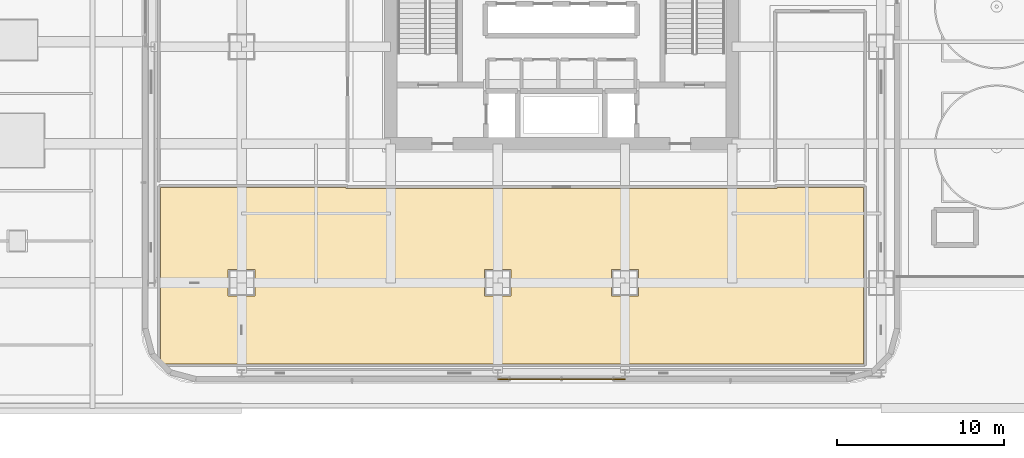
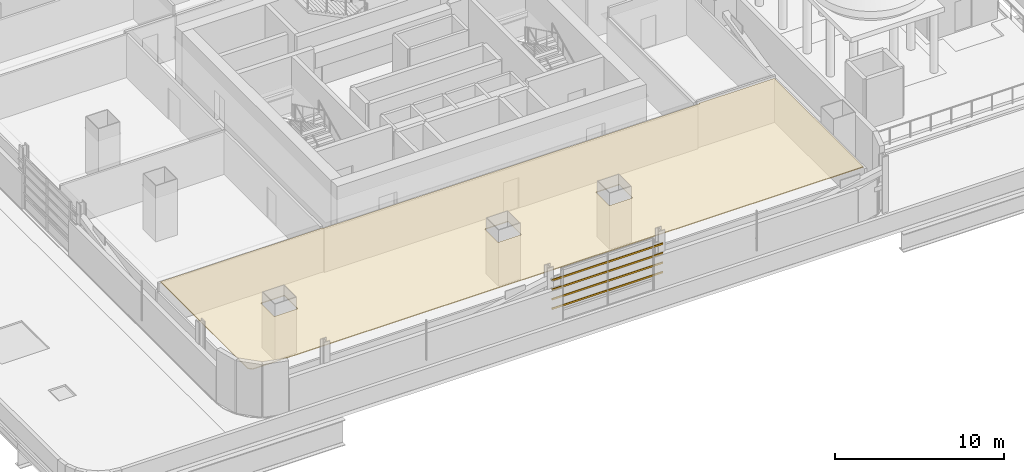
# One storey, part 22 of 30: 4 shading devices, 1 covering.
"""IFC4 building model written with IfcOpenShell, lengths in metres."""

import ifcopenshell
import ifcopenshell.guid

model = None  # the IFC model being written
_history = None  # IfcOwnerHistory: only IFC2X3 demands one
_inside = {}  # id of a spatial element -> (the spatial element, [elements in it])
_under = {}  # id of a project, library or spatial element -> (it, [spatial elements below it])
_declared = {}  # id of a project -> (the project, [libraries it declares])
_typed = {}  # id of a type object -> (the type object, [elements of that type])
_made_of = {}  # id of a material, layer set ... -> (it, [elements and type objects made of it])


def new_model(schema):
    """Start an empty IFC model of exactly this schema.

    Asked for "IFC4X3", IfcOpenShell would pick the latest addendum, in which some entities
    have other attributes; the version numbers below select the first issue.
    IFC2X3 requires an IfcOwnerHistory on every rooted entity: one is made here for all.
    """
    global model, _history
    if schema == "IFC4X3":
        model = ifcopenshell.file(schema_version=(4, 3, 0, 0))
    else:
        model = ifcopenshell.file(schema=schema)
    _inside.clear()
    _under.clear()
    _declared.clear()
    _typed.clear()
    _made_of.clear()
    _history = None
    if model.schema == "IFC2X3":
        org = make("IfcOrganization", Name="unknown")
        user = make(
            "IfcPersonAndOrganization",
            ThePerson=make("IfcPerson", FamilyName="unknown"),
            TheOrganization=org,
        )
        app = make(
            "IfcApplication",
            ApplicationDeveloper=org,
            Version="unknown",
            ApplicationFullName="unknown",
            ApplicationIdentifier="unknown",
        )
        _history = make(
            "IfcOwnerHistory",
            OwningUser=user,
            OwningApplication=app,
            ChangeAction="ADDED",
            CreationDate=0,
        )
    return model


def make(cls, **values):
    """One entity of the class cls with the attributes given. An attribute that is None is left unset."""
    return model.create_entity(
        cls, **{name: value for name, value in values.items() if value is not None}
    )


def rooted(cls, **values):
    """An entity with a GlobalId (a new one), such as an element, a storey or a relation."""
    return make(cls, GlobalId=ifcopenshell.guid.new(), OwnerHistory=_history, **values)


def si_unit(unit_type, name, prefix=None):
    """IfcSIUnit, for example si_unit("LENGTHUNIT", "METRE", prefix="MILLI")."""
    return make("IfcSIUnit", UnitType=unit_type, Prefix=prefix, Name=name)


def assignment(units):
    """IfcUnitAssignment: the units of a project."""
    return None if units is None else make("IfcUnitAssignment", Units=units)


def point(xyz):
    """IfcCartesianPoint."""
    return None if xyz is None else make("IfcCartesianPoint", Coordinates=xyz)


def direction(xyz):
    """IfcDirection."""
    return None if xyz is None else make("IfcDirection", DirectionRatios=xyz)


def frame(location, z_axis=None, x_axis=None):
    """IfcAxis2Placement3D, a coordinate frame: its origin and axes. An axis left out is left unset."""
    return make(
        "IfcAxis2Placement3D",
        Location=point(location),
        Axis=direction(z_axis),
        RefDirection=direction(x_axis),
    )


def frame_2d(location, x_axis=None):
    """IfcAxis2Placement2D, a coordinate frame in the plane: its origin and x axis."""
    return make(
        "IfcAxis2Placement2D", Location=point(location), RefDirection=direction(x_axis)
    )


def origin():
    """The frame at (0, 0, 0) with its axes left unset."""
    return frame((0.0, 0.0, 0.0))


def origin_2d():
    """The frame at (0, 0) in the plane with its x axis left unset."""
    return frame_2d((0.0, 0.0))


def place(relative_to, where):
    """IfcLocalPlacement: puts the frame where relative to a parent placement (None: the world)."""
    return make(
        "IfcLocalPlacement", PlacementRelTo=relative_to, RelativePlacement=where
    )


def context(
    kind, dimensions, precision=None, world=None, true_north=None, identifier=None
):
    """IfcGeometricRepresentationContext, for example the 3D "Model" context."""
    return make(
        "IfcGeometricRepresentationContext",
        ContextIdentifier=identifier,
        ContextType=kind,
        CoordinateSpaceDimension=dimensions,
        Precision=precision,
        WorldCoordinateSystem=world,
        TrueNorth=true_north,
    )


def subcontext(parent, identifier, kind, view, scale=None):
    """IfcGeometricRepresentationSubContext, for example "Body" below "Model"."""
    return make(
        "IfcGeometricRepresentationSubContext",
        ContextIdentifier=identifier,
        ContextType=kind,
        ParentContext=parent,
        TargetScale=scale,
        TargetView=view,
    )


def project(units=None, contexts=None):
    """IfcProject with its units and contexts."""
    return rooted(
        "IfcProject",
        Name="project",
        RepresentationContexts=contexts,
        UnitsInContext=assignment(units),
    )


def spatial(cls, under=None, at=None, **own):
    """A site, building, storey or space (cls), placed at a placement, below another one or the project."""
    s = rooted(cls, ObjectPlacement=at, **own)
    if under is not None:
        _under.setdefault(under.id(), (under, []))[1].append(s)
    return s


def polyline(points):
    """IfcPolyline through the points."""
    return make("IfcPolyline", Points=[point(p) for p in points])


def profile(cls, at=None, kind="AREA", **sizes):
    """A parametric profile (cls). Its sizes go by their IFC names, for example OverallWidth=200.0."""
    return make(cls, ProfileType=kind, Position=at, **sizes)


def hollow_rectangle(**sizes):
    """IfcRectangleHollowProfileDef."""
    return profile("IfcRectangleHollowProfileDef", **sizes)


def outline(outer, holes=None, kind="AREA"):
    """IfcArbitraryClosedProfileDef: a profile drawn as a closed curve; with holes, ...WithVoids."""
    if holes is None:
        return make("IfcArbitraryClosedProfileDef", ProfileType=kind, OuterCurve=outer)
    return make(
        "IfcArbitraryProfileDefWithVoids",
        ProfileType=kind,
        OuterCurve=outer,
        InnerCurves=holes,
    )


def extrude(swept, where, along, depth):
    """IfcExtrudedAreaSolid: the profile swept, set in the frame where, extruded along a direction by depth."""
    return make(
        "IfcExtrudedAreaSolid",
        SweptArea=swept,
        Position=where,
        ExtrudedDirection=direction(along),
        Depth=depth,
    )


def shape(context_of_items, identifier, shape_type, items):
    """IfcShapeRepresentation: the items that make up one representation, for example the "Body"."""
    return make(
        "IfcShapeRepresentation",
        ContextOfItems=context_of_items,
        RepresentationIdentifier=identifier,
        RepresentationType=shape_type,
        Items=items,
    )


def material(Name=None, Category=None):
    """IfcMaterial."""
    return make("IfcMaterial", Name=Name, Category=Category)


def layer(
    of_material, thickness, ventilated=None, Name=None, Category=None, Priority=None
):
    """IfcMaterialLayer: one layer of a wall or slab, of a material (None: an air gap)."""
    return make(
        "IfcMaterialLayer",
        Material=of_material,
        LayerThickness=thickness,
        IsVentilated=ventilated,
        Name=Name,
        Category=Category,
        Priority=Priority,
    )


def layer_set(layers, Name=None):
    """IfcMaterialLayerSet."""
    return make("IfcMaterialLayerSet", MaterialLayers=layers, LayerSetName=Name)


def material_profile(
    of_material, cross_section, Name=None, Category=None, Priority=None
):
    """IfcMaterialProfile: a cross section and its material."""
    return make(
        "IfcMaterialProfile",
        Name=Name,
        Material=of_material,
        Profile=cross_section,
        Priority=Priority,
        Category=Category,
    )


def profile_set(profiles, Name=None, composite=None):
    """IfcMaterialProfileSet."""
    return make(
        "IfcMaterialProfileSet",
        Name=Name,
        MaterialProfiles=profiles,
        CompositeProfile=composite,
    )


def made_of(thing, what):
    """Note that an element or type object is made of a material, layer set ...; save() writes the relation."""
    if what is not None:
        _made_of.setdefault(what.id(), (what, []))[1].append(thing)
    return thing


def type_object(cls, material=None, **own):
    """A type object (cls), such as IfcWallType, which elements share."""
    return made_of(rooted(cls, **own), material)


def element(
    cls,
    number,
    at=None,
    inside=None,
    cuts=None,
    type_object=None,
    material=None,
    context=None,
    identifier="Body",
    shape_type=None,
    held_by="IfcProductDefinitionShape",
    body=None,
    shapes=None,
    **own,
):
    """One element of the class cls, such as IfcWall. Its Tag is "e" and its number.

    at: its placement. inside: the storey or other place that contains it. cuts: it is an
    opening in that element (IfcRelVoidsElement). A single representation is given by context,
    identifier, shape_type and body (its items); several are given by shapes. held_by: the class
    of the entity that holds the representations. save() writes the other relations.
    """
    e = rooted(cls, Tag="e%d" % number, ObjectPlacement=at, **own)
    if body is not None:
        shapes = [shape(context, identifier, shape_type, body)]
    if shapes is not None:
        e.Representation = make(held_by, Representations=shapes)
    if inside is not None:
        _inside.setdefault(inside.id(), (inside, []))[1].append(e)
    if cuts is not None:
        rooted(
            "IfcRelVoidsElement", RelatingBuildingElement=cuts, RelatedOpeningElement=e
        )
    if type_object is not None:
        _typed.setdefault(type_object.id(), (type_object, []))[1].append(e)
    return made_of(e, material)


def aggregate(whole, parts):
    """IfcRelAggregates: a whole, such as a stair, and the parts it consists of."""
    return rooted("IfcRelAggregates", RelatingObject=whole, RelatedObjects=parts)


def save(model, path):
    """Write the relations noted so far, then the file.

    IfcRelAggregates (storeys below a building ...), IfcRelContainedInSpatialStructure (elements
    in a storey), IfcRelDefinesByType, IfcRelAssociatesMaterial and IfcRelDeclares: one each for
    every whole, place, type object, material and project.
    """
    for whole, parts in _under.values():
        aggregate(whole, parts)
    for where, things in _inside.values():
        rooted(
            "IfcRelContainedInSpatialStructure",
            RelatedElements=things,
            RelatingStructure=where,
        )
    for kind, things in _typed.values():
        rooted("IfcRelDefinesByType", RelatedObjects=things, RelatingType=kind)
    for what, things in _made_of.values():
        rooted("IfcRelAssociatesMaterial", RelatedObjects=things, RelatingMaterial=what)
    for by, libraries in _declared.values():
        rooted("IfcRelDeclares", RelatingContext=by, RelatedDefinitions=libraries)
    model.write(path)


model = new_model("IFC4")

# Units and contexts
model_context = context("Model", 3, precision=1e-05, world=origin(), true_north=direction((0.0, 1.0)))
body_context = subcontext(model_context, "Body", "Model", "MODEL_VIEW")
ifc_project = project(units=[si_unit("LENGTHUNIT", "METRE"), si_unit("AREAUNIT", "SQUARE_METRE"), si_unit("VOLUMEUNIT", "CUBIC_METRE"), si_unit("PLANEANGLEUNIT", "RADIAN"), si_unit("MASSUNIT", "GRAM", prefix="KILO")], contexts=[model_context])

# Site, building, storey
site_placement = place(None, origin())
site = spatial("IfcSite", under=ifc_project, at=site_placement, CompositionType="ELEMENT")
building_placement = place(site_placement, origin())
building = spatial("IfcBuilding", under=site, at=building_placement, Name="Punatoya Terracotta Tower", CompositionType="ELEMENT")
storey_placement = place(building_placement, frame((0.0, 0.0, 28.199951171875)))
storey = spatial("IfcBuildingStorey", under=building, at=storey_placement, Name="L05", CompositionType="ELEMENT", Elevation=28.199951171875)

# Covering
ifc_material_1 = material(Name="Acoustic Mineral Fibre Ceiling")
ifc_layer = layer(ifc_material_1, 0.06005859375)
ifc_layer_set = layer_set([ifc_layer], Name="Acoustic Mineral Fibre Ceiling")
covering_type = type_object("IfcCoveringType", Name="COV-CEIL-60", PredefinedType="CEILING", material=ifc_layer_set)
covering_placement = place(storey_placement, frame((0.0, 0.0, 3.16015625)))
element("IfcCovering", 1, at=covering_placement, inside=storey, type_object=covering_type, Name="L05 Open Workplace Studio Acoustic Ceiling", PredefinedType="CEILING", context=body_context, shape_type="SweptSolid", body=[
    extrude(outline(polyline([(-12.8701171875, -11.8701171875), (-12.8701171875, -11.81005859375), (-23.93994140625, -11.81005859375), (-23.93994140625, -22.113525390625), (-23.841796875, -22.24169921875), (-23.713623046875, -22.340087890625), (18.0400390625, -22.340087890625), (18.0400390625, -11.81005859375), (12.8701171875, -11.81005859375), (12.8701171875, -11.8701171875), (-12.8701171875, -11.8701171875)]), holes=[polyline([(4.60009765625, -16.699951171875), (4.60009765625, -18.300048828125), (3.0, -18.300048828125), (3.0, -16.699951171875), (4.60009765625, -16.699951171875)]), polyline([(-4.60009765625, -16.699951171875), (-3.0, -16.699951171875), (-3.0, -18.300048828125), (-4.60009765625, -18.300048828125), (-4.60009765625, -16.699951171875)]), polyline([(-19.89990234375, -18.300048828125), (-19.89990234375, -16.699951171875), (-18.300048828125, -16.699951171875), (-18.300048828125, -18.300048828125), (-19.89990234375, -18.300048828125)])]), origin(), (0.0, 0.0, 1.0), 0.059814453125),
])

# Shading devices
ifc_material_2 = material(Name="Architectural Fired Terracotta", Category="masonry")
ifc_material_profile = material_profile(ifc_material_2, hollow_rectangle(XDim=0.06494140625, YDim=0.1201171875, WallThickness=0.014892578125, at=origin_2d()))
ifc_profile_set = profile_set([ifc_material_profile], Name="Architectural Fired Terracotta")
shading_device_type = type_object("IfcShadingDeviceType", Name="SHD-BAG-120", PredefinedType="USERDEFINED", material=ifc_profile_set)
for number, where, z_axis, x_axis, name in (
    (2, (-3.800048828125, -23.262939453125, 1.150146484375), (1.0, 0.0, 0.0), (0.0, 1.0, 0.0), "L05 Fired Terracotta Baguette Louvre BAG-L05-S-01"),
    (3, (-3.800048828125, -23.262939453125, 1.836669921875), (1.0, 0.0, 0.0), (0.0, 1.0, 0.0), "L05 Fired Terracotta Baguette Louvre BAG-L05-S-02"),
    (4, (-3.800048828125, -23.262939453125, 2.5234375), (1.0, 0.0, 0.0), (0.0, 1.0, 0.0), "L05 Fired Terracotta Baguette Louvre BAG-L05-S-03"),
    (5, (-3.800048828125, -23.262939453125, 3.2099609375), (1.0, 0.0, 0.0), (0.0, 1.0, 0.0), "L05 Fired Terracotta Baguette Louvre BAG-L05-S-04"),
):
    element("IfcShadingDevice", number, at=place(storey_placement, frame(where, z_axis=z_axis, x_axis=x_axis)), inside=storey, type_object=shading_device_type, Name=name, ObjectType="BAGUETTE", PredefinedType="USERDEFINED", context=body_context, shape_type="SweptSolid", body=[
        extrude(hollow_rectangle(XDim=0.06494140625, YDim=0.1201171875, WallThickness=0.014892578125, at=origin_2d()), origin(), (0.0, 0.0, 1.0), 7.60009765625),
    ])

save(model, "model.ifc")
